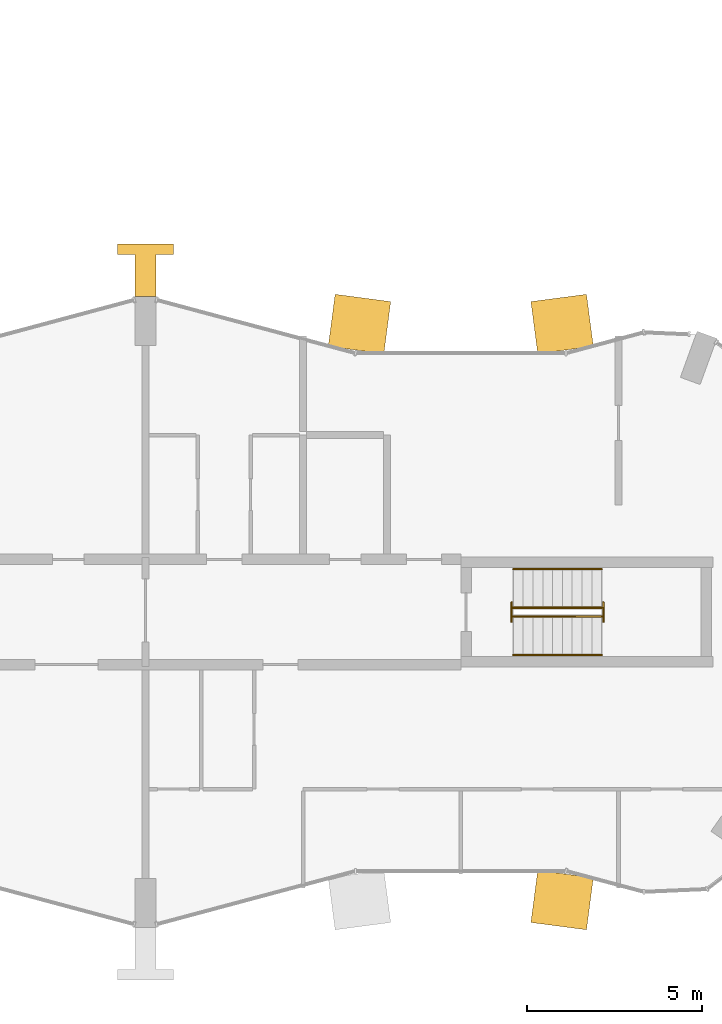
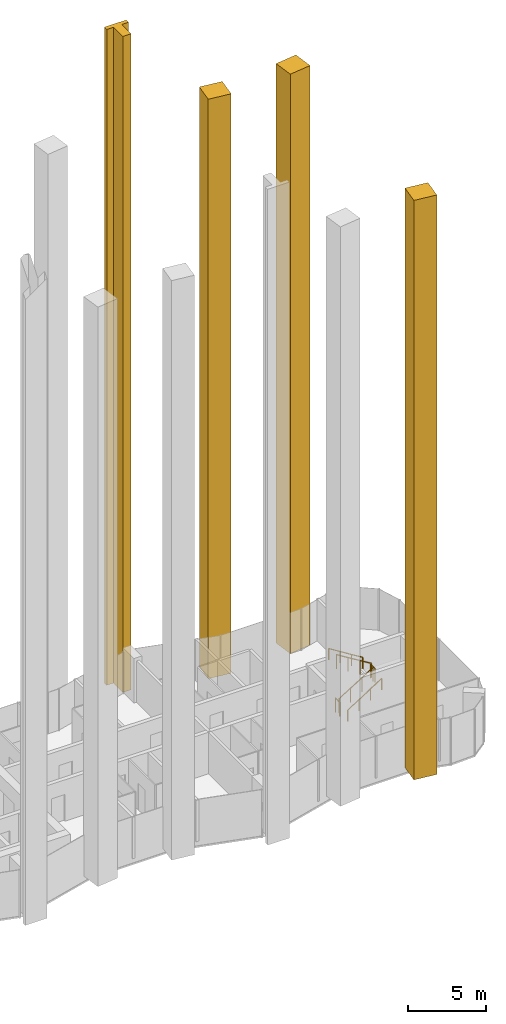
# One storey, part 17 of 18: 6 railings, 4 coverings.
"""IFC4 building model written with IfcOpenShell, lengths in metres."""

from ifc_helpers import new_model, si_unit, direction, frame, origin, origin_2d, place, context, subcontext, project, spatial, polyline, circle, outline, extrude, material, type_object, element, save


model = new_model("IFC4")

# Units and contexts
model_context = context("Model", 3, precision=1e-05, world=origin(), true_north=direction((0.0, 1.0)))
body_context = subcontext(model_context, "Body", "Model", "MODEL_VIEW")
ifc_project = project(units=[si_unit("LENGTHUNIT", "METRE"), si_unit("AREAUNIT", "SQUARE_METRE"), si_unit("VOLUMEUNIT", "CUBIC_METRE"), si_unit("PLANEANGLEUNIT", "RADIAN"), si_unit("MASSUNIT", "GRAM", prefix="KILO")], contexts=[model_context])

# Site, building, storey
site_placement = place(None, origin())
site = spatial("IfcSite", under=ifc_project, at=site_placement, CompositionType="ELEMENT")
building_placement = place(site_placement, origin())
building = spatial("IfcBuilding", under=site, at=building_placement, Name="Plateau Cross Towers", CompositionType="ELEMENT")
storey_placement = place(building_placement, frame((0.0, 0.0, 139.39990234375)))
storey = spatial("IfcBuildingStorey", under=building, at=storey_placement, Name="L35", CompositionType="ELEMENT", Elevation=139.39990234375)

# Coverings
ifc_material_1 = material(Name="Light precast concrete cladding C40/50", Category="concrete")
covering_type_1 = type_object("IfcCoveringType", Name="Flute pier cladding 1600x1500", PredefinedType="CLADDING", material=ifc_material_1)
covering_1_placement = place(storey_placement, origin())
element("IfcCovering", 1, at=covering_1_placement, inside=storey, type_object=covering_type_1, Name="Flute pier", PredefinedType="CLADDING", context=body_context, shape_type="SweptSolid", body=[
    extrude(outline(polyline([(48.7822265625, 16.580322265625), (47.19580078125, 16.37158203125), (47.000244140625, 17.85888671875), (48.58642578125, 18.067626953125), (48.7822265625, 16.580322265625)])), origin(), (0.0, 0.0, 1.0), 45.5),
])
covering_2_placement = place(storey_placement, origin())
element("IfcCovering", 2, at=covering_2_placement, inside=storey, type_object=covering_type_1, Name="Flute pier", PredefinedType="CLADDING", context=body_context, shape_type="SweptSolid", body=[
    extrude(outline(polyline([(42.80419921875, 16.37158203125), (41.2177734375, 16.580322265625), (41.41357421875, 18.067626953125), (42.999755859375, 17.85888671875), (42.80419921875, 16.37158203125)])), origin(), (0.0, 0.0, 1.0), 45.5),
])
covering_3_placement = place(storey_placement, origin())
element("IfcCovering", 3, at=covering_3_placement, inside=storey, type_object=covering_type_1, Name="Flute pier", PredefinedType="CLADDING", context=body_context, shape_type="SweptSolid", body=[
    extrude(outline(polyline([(47.19580078125, 1.62841796875), (48.7822265625, 1.419677734375), (48.58642578125, -0.067626953125), (47.000244140625, 0.14111328125), (47.19580078125, 1.62841796875)])), origin(), (0.0, 0.0, 1.0), 45.5),
])
covering_type_2 = type_object("IfcCoveringType", Name="Pier fin cladding 1600x1500", PredefinedType="CLADDING", material=ifc_material_1)
covering_4_placement = place(storey_placement, origin())
element("IfcCovering", 4, at=covering_4_placement, inside=storey, type_object=covering_type_2, Name="Pier fin PR5", PredefinedType="CLADDING", context=body_context, shape_type="SweptSolid", body=[
    extrude(outline(polyline([(35.699951171875, 18.0), (36.300048828125, 18.0), (36.300048828125, 19.199951171875), (36.800048828125, 19.199951171875), (36.800048828125, 19.5), (35.199951171875, 19.5), (35.199951171875, 19.199951171875), (35.699951171875, 19.199951171875), (35.699951171875, 18.0)])), origin(), (0.0, 0.0, 1.0), 51.5),
])

# Railings
ifc_material_2 = material(Name="Stainless steel and toughened glass", Category="steel")
railing_type_1 = type_object("IfcRailingType", Name="RL-GUARD-1100", PredefinedType="GUARDRAIL", material=ifc_material_2)
railing_1_placement = place(storey_placement, frame((46.5, 8.875, 0.175048828125)))
element("IfcRailing", 5, at=railing_1_placement, inside=storey, type_object=railing_type_1, Name="L35 ES-E stair guard 1", PredefinedType="GUARDRAIL", context=body_context, shape_type="SweptSolid", body=[
    extrude(circle(Radius=0.02392578125, at=origin_2d()), frame((0.0, 0.0, 1.076171875), z_axis=(0.848007534815, 0.0, 0.529984170421), x_axis=(0.0, 1.0, 0.0)), (0.0, 0.0, 1.0), 2.9716796875),
    extrude(circle(Radius=0.02099609375, at=origin_2d()), origin(), (0.0, 0.0, 1.0), 1.052001953125),
    extrude(circle(Radius=0.02099609375, at=origin_2d()), frame((0.840087890625, 0.0, 0.52490234375)), (0.0, 0.0, 1.0), 1.052001953125),
    extrude(circle(Radius=0.02099609375, at=origin_2d()), frame((1.679931640625, 0.0, 1.050048828125)), (0.0, 0.0, 1.0), 1.052001953125),
    extrude(circle(Radius=0.02099609375, at=origin_2d()), frame((2.52001953125, 0.0, 1.574951171875)), (0.0, 0.0, 1.0), 1.052001953125),
])
railing_2_placement = place(storey_placement, frame((49.070068359375, 8.72509765625, 1.75)))
element("IfcRailing", 6, at=railing_2_placement, inside=storey, type_object=railing_type_1, Name="L35 ES-E stair guard 2", PredefinedType="GUARDRAIL", context=body_context, shape_type="SweptSolid", body=[
    extrude(circle(Radius=0.02392578125, at=origin_2d()), frame((0.0, 0.0, 1.076171875), z_axis=(0.0, 1.0, 0.0), x_axis=(-1.0, 0.0, 0.0)), (0.0, 0.0, 1.0), 0.5498046875),
    extrude(circle(Radius=0.02099609375, at=origin_2d()), origin(), (0.0, 0.0, 1.0), 1.052001953125),
    extrude(circle(Radius=0.02099609375, at=origin_2d()), frame((0.0, 0.5498046875, 0.0)), (0.0, 0.0, 1.0), 1.052001953125),
])
railing_3_placement = place(storey_placement, frame((49.02001953125, 9.125, 1.925048828125)))
element("IfcRailing", 7, at=railing_3_placement, inside=storey, type_object=railing_type_1, Name="L35 ES-E stair guard 3", PredefinedType="GUARDRAIL", context=body_context, shape_type="SweptSolid", body=[
    extrude(circle(Radius=0.02392578125, at=origin_2d()), frame((0.0, 0.0, 1.076171875), z_axis=(-0.852638500773, 0.0, 0.522501279423), x_axis=(0.0, -1.0, 0.0)), (0.0, 0.0, 1.0), 3.01416015625),
    extrude(circle(Radius=0.02099609375, at=origin_2d()), origin(), (0.0, 0.0, 1.0), 1.052001953125),
    extrude(circle(Radius=0.02099609375, at=origin_2d()), frame((-0.856689453125, 0.0, 0.52490234375)), (0.0, 0.0, 1.0), 1.052001953125),
    extrude(circle(Radius=0.02099609375, at=origin_2d()), frame((-1.71337890625, 0.0, 1.050048828125)), (0.0, 0.0, 1.0), 1.052001953125),
    extrude(circle(Radius=0.02099609375, at=origin_2d()), frame((-2.570068359375, 0.0, 1.574951171875)), (0.0, 0.0, 1.0), 1.052001953125),
])
railing_4_placement = place(storey_placement, frame((46.449951171875, 8.72509765625, 0.0)))
element("IfcRailing", 8, at=railing_4_placement, inside=storey, type_object=railing_type_1, Name="L35 ES-E stair guard 4", PredefinedType="GUARDRAIL", context=body_context, shape_type="SweptSolid", body=[
    extrude(circle(Radius=0.02392578125, at=origin_2d()), frame((0.0, 0.0, 1.076171875), z_axis=(0.0, 1.0, 0.0), x_axis=(-1.0, 0.0, 0.0)), (0.0, 0.0, 1.0), 0.5498046875),
    extrude(circle(Radius=0.02099609375, at=origin_2d()), origin(), (0.0, 0.0, 1.0), 1.052001953125),
    extrude(circle(Radius=0.02099609375, at=origin_2d()), frame((0.0, 0.5498046875, 0.0)), (0.0, 0.0, 1.0), 1.052001953125),
])
ifc_material_3 = material(Name="Black anodised aluminium", Category="aluminium")
railing_type_2 = type_object("IfcRailingType", Name="RL-HANDRAIL-900", PredefinedType="HANDRAIL", material=ifc_material_3)
railing_5_placement = place(storey_placement, frame((46.5, 7.77490234375, 0.175048828125)))
element("IfcRailing", 9, at=railing_5_placement, inside=storey, type_object=railing_type_2, Name="L35 ES-E stair handrail 1", PredefinedType="HANDRAIL", context=body_context, shape_type="SweptSolid", body=[
    extrude(circle(Radius=0.02392578125, at=origin_2d()), frame((0.0, 0.0, 0.8759765625), z_axis=(0.848007534815, 0.0, 0.529984170421), x_axis=(0.0, 1.0, 0.0)), (0.0, 0.0, 1.0), 2.9716796875),
    extrude(circle(Radius=0.02099609375, at=origin_2d()), origin(), (0.0, 0.0, 1.0), 0.851806640625),
    extrude(circle(Radius=0.02099609375, at=origin_2d()), frame((0.840087890625, 0.0, 0.52490234375)), (0.0, 0.0, 1.0), 0.851806640625),
    extrude(circle(Radius=0.02099609375, at=origin_2d()), frame((1.679931640625, 0.0, 1.050048828125)), (0.0, 0.0, 1.0), 0.851806640625),
    extrude(circle(Radius=0.02099609375, at=origin_2d()), frame((2.52001953125, 0.0, 1.574951171875)), (0.0, 0.0, 1.0), 0.851806640625),
])
railing_6_placement = place(storey_placement, frame((49.02001953125, 10.22509765625, 1.925048828125)))
element("IfcRailing", 10, at=railing_6_placement, inside=storey, type_object=railing_type_2, Name="L35 ES-E stair handrail 2", PredefinedType="HANDRAIL", context=body_context, shape_type="SweptSolid", body=[
    extrude(circle(Radius=0.02392578125, at=origin_2d()), frame((0.0, 0.0, 0.8759765625), z_axis=(-0.848007534815, 0.0, 0.529984170421), x_axis=(0.0, -1.0, 0.0)), (0.0, 0.0, 1.0), 2.9716796875),
    extrude(circle(Radius=0.02099609375, at=origin_2d()), origin(), (0.0, 0.0, 1.0), 0.851806640625),
    extrude(circle(Radius=0.02099609375, at=origin_2d()), frame((-0.840087890625, 0.0, 0.52490234375)), (0.0, 0.0, 1.0), 0.851806640625),
    extrude(circle(Radius=0.02099609375, at=origin_2d()), frame((-1.679931640625, 0.0, 1.050048828125)), (0.0, 0.0, 1.0), 0.851806640625),
    extrude(circle(Radius=0.02099609375, at=origin_2d()), frame((-2.52001953125, 0.0, 1.574951171875)), (0.0, 0.0, 1.0), 0.851806640625),
])

save(model, "model.ifc")
